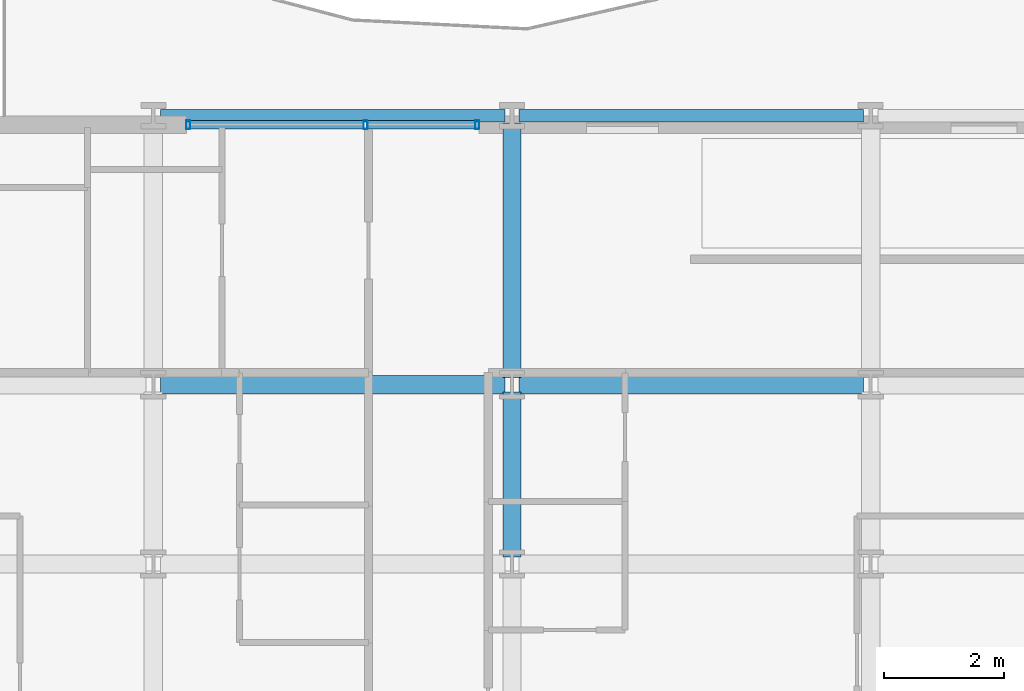
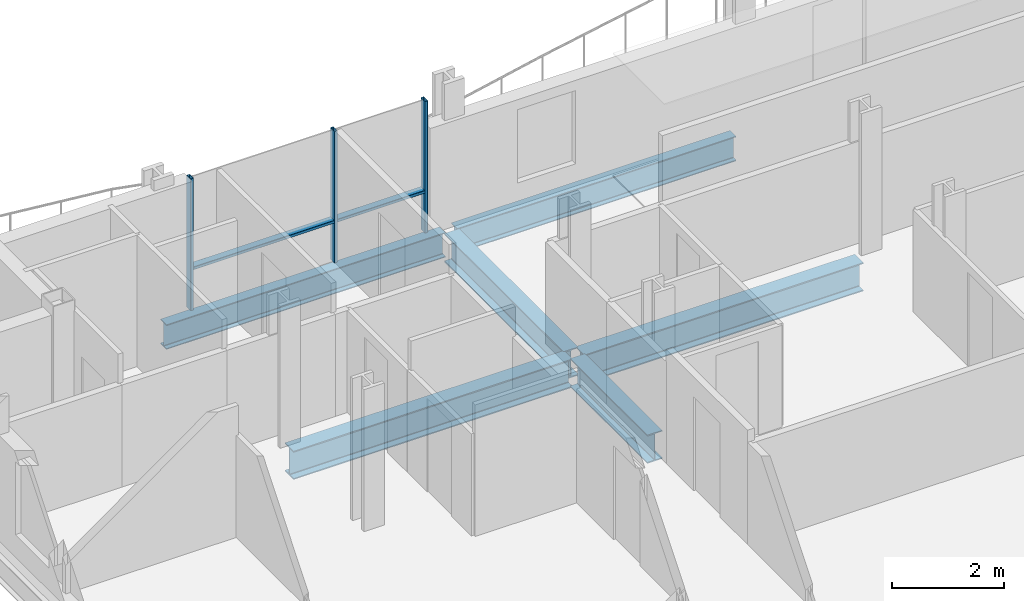
# One storey, part 7 of 38: 6 beams, 5 members, 1 element without a shape of its own.
"""IFC4 building model written with IfcOpenShell, lengths in metres."""

from ifc_helpers import new_model, si_unit, direction, frame, origin, origin_2d, place, context, subcontext, project, spatial, hollow_rectangle, i_section, extrude, material, layer, layer_set, material_profile, profile_set, type_object, element, aggregate, save


model = new_model("IFC4")

# Units and contexts
model_context = context("Model", 3, precision=1e-05, world=origin(), true_north=direction((0.0, 1.0)))
body_context = subcontext(model_context, "Body", "Model", "MODEL_VIEW")
ifc_project = project(units=[si_unit("LENGTHUNIT", "METRE"), si_unit("AREAUNIT", "SQUARE_METRE"), si_unit("VOLUMEUNIT", "CUBIC_METRE"), si_unit("PLANEANGLEUNIT", "RADIAN"), si_unit("MASSUNIT", "GRAM", prefix="KILO")], contexts=[model_context])

# Site, building, storey
site_placement = place(None, origin())
site = spatial("IfcSite", under=ifc_project, at=site_placement, CompositionType="ELEMENT")
building_placement = place(site_placement, origin())
building = spatial("IfcBuilding", under=site, at=building_placement, Name="Brevholm Reach", CompositionType="ELEMENT")
storey_placement = place(building_placement, frame((0.0, 0.0, 52.800048828125)))
storey = spatial("IfcBuildingStorey", under=building, at=storey_placement, Name="L14", CompositionType="ELEMENT", Elevation=52.800048828125)

# Beams
ifc_material_1 = material(Name="Structural Steel S355J2", Category="steel")
ifc_material_profile_1 = material_profile(ifc_material_1, i_section(OverallWidth=0.210693359375, OverallDepth=0.53955078125, WebThickness=0.01171875, FlangeThickness=0.018798828125, FilletRadius=0.0126953125, at=origin_2d()), Name="UKB 533x210x109")
ifc_profile_set_1 = profile_set([ifc_material_profile_1], Name="Structural Steel S355J2")
beam_type_1 = type_object("IfcBeamType", Name="BM-SP539", PredefinedType="SPANDREL", material=ifc_profile_set_1)
for number, where, z_axis, x_axis, name in (
    (1, (6.1201171875, 31.0, -0.499755859375), (1.0, 0.0, 0.0), (0.0, 1.0, 0.0), "L14 SP-01B Framing Beam"),
    (2, (12.1201171875, 31.0, -0.499755859375), (1.0, 0.0, 0.0), (0.0, 1.0, 0.0), "L14 SP-01B Framing Beam"),
):
    element("IfcBeam", number, at=place(storey_placement, frame(where, z_axis=z_axis, x_axis=x_axis)), inside=storey, type_object=beam_type_1, Name=name, PredefinedType="SPANDREL", context=body_context, shape_type="SweptSolid", body=[
        extrude(i_section(OverallWidth=0.210693359375, OverallDepth=0.53955078125, WebThickness=0.01171875, FlangeThickness=0.018798828125, FilletRadius=0.0126953125, at=origin_2d()), origin(), (0.0, 0.0, 1.0), 5.759765625),
    ])
ifc_material_2 = material(Name="Structural Steel S355J2", Category="steel")
ifc_material_profile_2 = material_profile(ifc_material_2, i_section(OverallWidth=0.30712890625, OverallDepth=0.6201171875, WebThickness=0.01416015625, FlangeThickness=0.023681640625, FilletRadius=0.0166015625, at=origin_2d()), Name="UKB 610x305x179")
ifc_profile_set_2 = profile_set([ifc_material_profile_2], Name="Structural Steel S355J2")
beam_type_2 = type_object("IfcBeamType", Name="BM-UKB610H", PredefinedType="USERDEFINED", material=ifc_profile_set_2)
for number, where, z_axis, x_axis, name in (
    (3, (6.1201171875, 26.5, -0.5400390625), (1.0, 0.0, 0.0), (0.0, 1.0, 0.0), "L14 G-06 Framing Beam"),
    (4, (12.1201171875, 26.5, -0.5400390625), (1.0, 0.0, 0.0), (0.0, 1.0, 0.0), "L14 G-06 Framing Beam"),
):
    element("IfcBeam", number, at=place(storey_placement, frame(where, z_axis=z_axis, x_axis=x_axis)), inside=storey, type_object=beam_type_2, Name=name, ObjectType="GIRDER", PredefinedType="USERDEFINED", context=body_context, shape_type="SweptSolid", body=[
        extrude(i_section(OverallWidth=0.30712890625, OverallDepth=0.6201171875, WebThickness=0.01416015625, FlangeThickness=0.023681640625, FilletRadius=0.0166015625, at=origin_2d()), origin(), (0.0, 0.0, 1.0), 5.759765625),
    ])
beam_1_placement = place(storey_placement, frame((12.0, 23.6201171875, -0.5400390625), z_axis=(0.0, 1.0, 0.0), x_axis=(-1.0, 0.0, 0.0)))
element("IfcBeam", 5, at=beam_1_placement, inside=storey, type_object=beam_type_2, Name="L14 G-06 Framing Beam", ObjectType="GIRDER", PredefinedType="USERDEFINED", context=body_context, shape_type="SweptSolid", body=[
    extrude(i_section(OverallWidth=0.30712890625, OverallDepth=0.6201171875, WebThickness=0.01416015625, FlangeThickness=0.023681640625, FilletRadius=0.0166015625, at=origin_2d()), origin(), (0.0, 0.0, 1.0), 2.759765625),
])
beam_2_placement = place(storey_placement, frame((12.0, 26.6201171875, -0.5400390625), z_axis=(0.0, 1.0, 0.0), x_axis=(-1.0, 0.0, 0.0)))
element("IfcBeam", 6, at=beam_2_placement, inside=storey, type_object=beam_type_2, Name="L14 G-06 Framing Beam", ObjectType="GIRDER", PredefinedType="USERDEFINED", context=body_context, shape_type="SweptSolid", body=[
    extrude(i_section(OverallWidth=0.30712890625, OverallDepth=0.6201171875, WebThickness=0.01416015625, FlangeThickness=0.023681640625, FilletRadius=0.0166015625, at=origin_2d()), origin(), (0.0, 0.0, 1.0), 4.259765625),
])

# Curtain wall, members
ifc_material_3 = material(Name="Dark Anodised Aluminium 6063-T6 and Solar-Control Glass", Category="aluminium")
ifc_layer = layer(ifc_material_3, 0.14990234375)
ifc_layer_set = layer_set([ifc_layer], Name="Dark Anodised Aluminium 6063-T6 and Solar-Control Glass")
curtain_wall_type = type_object("IfcCurtainWallType", Name="CW-01", PredefinedType="NOTDEFINED", material=ifc_layer_set)
curtain_wall_placement = place(storey_placement, origin())
curtain_wall = element("IfcCurtainWall", 7, at=curtain_wall_placement, inside=storey, type_object=curtain_wall_type, Name="L14 Curtain Wall CW-01", PredefinedType="NOTDEFINED")
ifc_material_4 = material(Name="Dark Anodised Aluminium 6063-T6", Category="aluminium")
ifc_material_profile_3 = material_profile(ifc_material_4, hollow_rectangle(XDim=0.06494140625, YDim=0.14990234375, WallThickness=0.0048828125, InnerFilletRadius=0.0048828125, OuterFilletRadius=0.010009765625, at=origin_2d()), Name="RHS 150x65x5")
ifc_profile_set_3 = profile_set([ifc_material_profile_3], Name="Dark Anodised Aluminium 6063-T6")
member_type_1 = type_object("IfcMemberType", Name="CWM-150", PredefinedType="MULLION", material=ifc_profile_set_3)
member_1_placement = place(storey_placement, frame((6.58251953125, 30.85009765625, 0.0), z_axis=(0.0, 0.0, 1.0), x_axis=(1.0, 0.0, 0.0)))
member_1 = element("IfcMember", 8, at=member_1_placement, type_object=member_type_1, Name="CM-150 Mullion 1", PredefinedType="MULLION", context=body_context, shape_type="SweptSolid", body=[
    extrude(hollow_rectangle(XDim=0.06494140625, YDim=0.14990234375, WallThickness=0.0048828125, InnerFilletRadius=0.0048828125, OuterFilletRadius=0.010009765625, at=origin_2d()), origin(), (0.0, 0.0, 1.0), 2.869873046875),
])
member_2_placement = place(storey_placement, frame((9.550048828125, 30.85009765625, 0.0), z_axis=(0.0, 0.0, 1.0), x_axis=(1.0, 0.0, 0.0)))
member_2 = element("IfcMember", 9, at=member_2_placement, type_object=member_type_1, Name="CM-150 Mullion 2", PredefinedType="MULLION", context=body_context, shape_type="SweptSolid", body=[
    extrude(hollow_rectangle(XDim=0.06494140625, YDim=0.14990234375, WallThickness=0.0048828125, InnerFilletRadius=0.0048828125, OuterFilletRadius=0.010009765625, at=origin_2d()), origin(), (0.0, 0.0, 1.0), 2.869873046875),
])
member_3_placement = place(storey_placement, frame((11.41748046875, 30.85009765625, 0.0), z_axis=(0.0, 0.0, 1.0), x_axis=(1.0, 0.0, 0.0)))
member_3 = element("IfcMember", 10, at=member_3_placement, type_object=member_type_1, Name="CM-150 Mullion 3", PredefinedType="MULLION", context=body_context, shape_type="SweptSolid", body=[
    extrude(hollow_rectangle(XDim=0.06494140625, YDim=0.14990234375, WallThickness=0.0048828125, InnerFilletRadius=0.0048828125, OuterFilletRadius=0.010009765625, at=origin_2d()), origin(), (0.0, 0.0, 1.0), 2.869873046875),
])
ifc_material_5 = material(Name="Dark Anodised Aluminium 6063-T6", Category="aluminium")
ifc_material_profile_4 = material_profile(ifc_material_5, hollow_rectangle(XDim=0.06494140625, YDim=0.14990234375, WallThickness=0.0048828125, InnerFilletRadius=0.0048828125, OuterFilletRadius=0.010009765625, at=origin_2d()), Name="RHS 150x65x5")
ifc_profile_set_4 = profile_set([ifc_material_profile_4], Name="Dark Anodised Aluminium 6063-T6")
member_type_2 = type_object("IfcMemberType", Name="CWT-150", PredefinedType="NOTDEFINED", material=ifc_profile_set_4)
member_4_placement = place(storey_placement, frame((6.614990234375, 30.85009765625, 0.89990234375), z_axis=(1.0, 0.0, 0.0), x_axis=(0.0, 0.0, 1.0)))
member_4 = element("IfcMember", 11, at=member_4_placement, type_object=member_type_2, Name="CT-150 Transom 1.1", ObjectType="TRANSOM", PredefinedType="USERDEFINED", context=body_context, shape_type="SweptSolid", body=[
    extrude(hollow_rectangle(XDim=0.06494140625, YDim=0.14990234375, WallThickness=0.0048828125, InnerFilletRadius=0.0048828125, OuterFilletRadius=0.010009765625, at=origin_2d()), origin(), (0.0, 0.0, 1.0), 2.902587890625),
])
member_5_placement = place(storey_placement, frame((9.58251953125, 30.85009765625, 0.89990234375), z_axis=(1.0, 0.0, 0.0), x_axis=(0.0, 0.0, 1.0)))
member_5 = element("IfcMember", 12, at=member_5_placement, type_object=member_type_2, Name="CT-150 Transom 2.1", ObjectType="TRANSOM", PredefinedType="USERDEFINED", context=body_context, shape_type="SweptSolid", body=[
    extrude(hollow_rectangle(XDim=0.06494140625, YDim=0.14990234375, WallThickness=0.0048828125, InnerFilletRadius=0.0048828125, OuterFilletRadius=0.010009765625, at=origin_2d()), origin(), (0.0, 0.0, 1.0), 1.802490234375),
])
aggregate(curtain_wall, [member_1, member_2, member_3, member_4, member_5])

save(model, "model.ifc")
